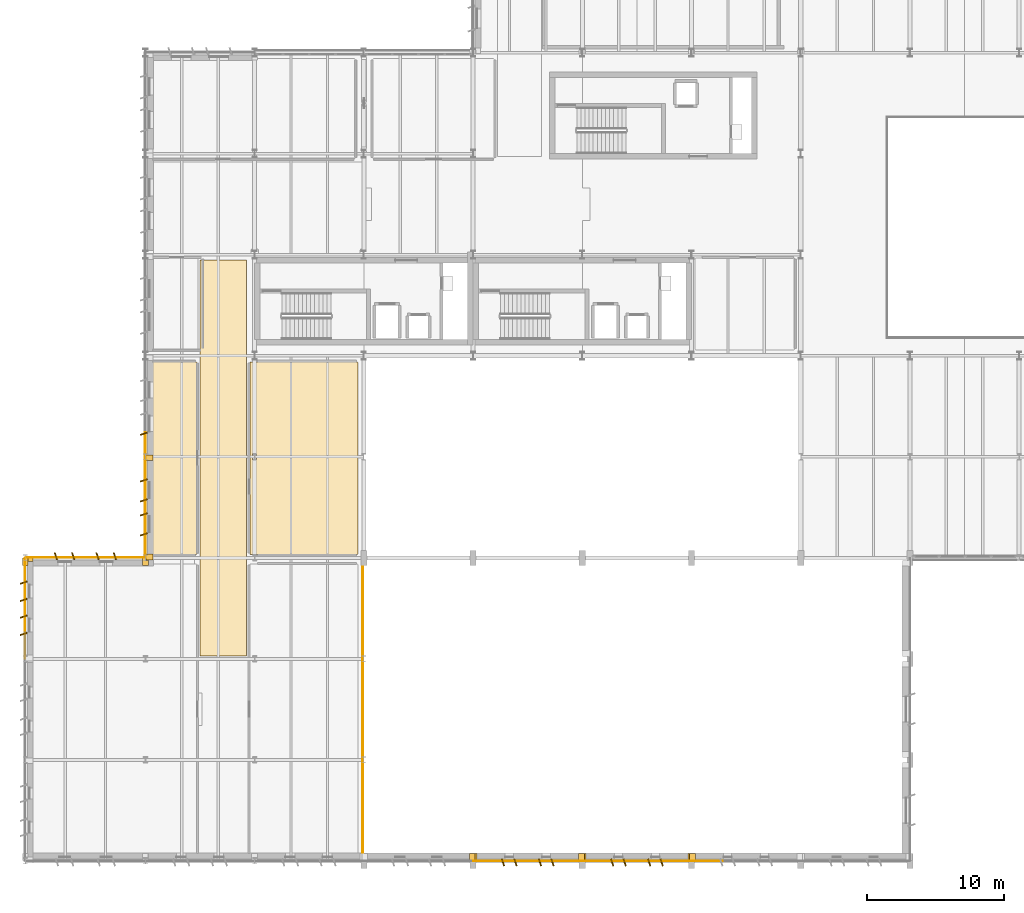
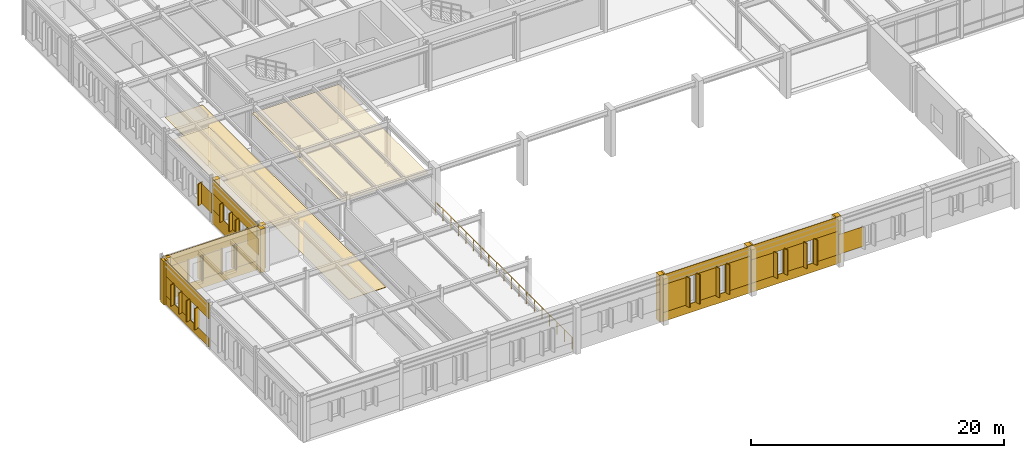
# One storey, part 55 of 75: 61 coverings, 1 railing.
"""IFC4 building model written with IfcOpenShell, lengths in metres."""

from ifc_helpers import new_model, si_unit, direction, frame, frame_2d, origin, origin_2d, place, context, subcontext, project, spatial, polyline, rectangle, circle, outline, extrude, material, layer, layer_set, type_object, element, save


model = new_model("IFC4")

# Units and contexts
model_context = context("Model", 3, precision=1e-05, world=origin(), true_north=direction((0.0, 1.0)))
body_context = subcontext(model_context, "Body", "Model", "MODEL_VIEW")
ifc_project = project(units=[si_unit("LENGTHUNIT", "METRE"), si_unit("AREAUNIT", "SQUARE_METRE"), si_unit("VOLUMEUNIT", "CUBIC_METRE"), si_unit("PLANEANGLEUNIT", "RADIAN"), si_unit("MASSUNIT", "GRAM", prefix="KILO")], contexts=[model_context])

# Site, building, storey
site_placement = place(None, origin())
site = spatial("IfcSite", under=ifc_project, at=site_placement, CompositionType="ELEMENT")
building_placement = place(site_placement, origin())
building = spatial("IfcBuilding", under=site, at=building_placement, Name="Valkorina Park Police Headquarters", CompositionType="ELEMENT")
storey_placement = place(building_placement, frame((0.0, 0.0, 5.39990234375)))
storey = spatial("IfcBuildingStorey", under=building, at=storey_placement, Name="L02", CompositionType="ELEMENT", Elevation=5.39990234375)

# Coverings
ifc_material_1 = material(Name="Acoustic mineral board")
ifc_layer_1 = layer(ifc_material_1, 0.02490234375)
ifc_layer_set_1 = layer_set([ifc_layer_1], Name="Acoustic mineral board")
covering_type_1 = type_object("IfcCoveringType", Name="COV-CEILING-ACOUST", PredefinedType="CEILING", material=ifc_layer_set_1)
covering_1_placement = place(storey_placement, frame((0.0, 0.0, 3.64501953125)))
element("IfcCovering", 1, at=covering_1_placement, inside=storey, type_object=covering_type_1, Name="Counsel Briefing Room Acoustic Suspended Ceiling", PredefinedType="CEILING", context=body_context, shape_type="SweptSolid", body=[
    extrude(outline(polyline([(12.55859375, 22.50439453125), (12.5595703125, 22.51220703125), (12.56005859375, 22.52001953125), (12.56005859375, 36.47998046875), (12.5595703125, 36.48779296875), (12.55859375, 36.49560546875), (12.556640625, 36.503173828125), (12.553955078125, 36.510498046875), (12.550537109375, 36.517578125), (12.54638671875, 36.5244140625), (12.541748046875, 36.53076171875), (12.53662109375, 36.53662109375), (12.53076171875, 36.541748046875), (12.5244140625, 36.54638671875), (12.517578125, 36.550537109375), (12.510498046875, 36.553955078125), (12.503173828125, 36.556640625), (12.49560546875, 36.55859375), (12.48779296875, 36.5595703125), (12.47998046875, 36.56005859375), (9.320068359375, 36.56005859375), (9.312255859375, 36.5595703125), (9.304443359375, 36.55859375), (9.296875, 36.556640625), (9.289306640625, 36.553955078125), (9.2822265625, 36.550537109375), (9.275634765625, 36.54638671875), (9.269287109375, 36.541748046875), (9.263427734375, 36.53662109375), (9.25830078125, 36.53076171875), (9.25341796875, 36.5244140625), (9.24951171875, 36.517578125), (9.24609375, 36.510498046875), (9.243408203125, 36.503173828125), (9.241455078125, 36.49560546875), (9.240478515625, 36.48779296875), (9.239990234375, 36.47998046875), (9.239990234375, 22.52001953125), (9.240478515625, 22.51220703125), (9.241455078125, 22.50439453125), (9.243408203125, 22.496826171875), (9.24609375, 22.489501953125), (9.24951171875, 22.482421875), (9.25341796875, 22.4755859375), (9.25830078125, 22.46923828125), (9.263427734375, 22.46337890625), (9.269287109375, 22.458251953125), (9.275634765625, 22.45361328125), (9.2822265625, 22.449462890625), (9.289306640625, 22.446044921875), (9.296875, 22.443359375), (9.304443359375, 22.44140625), (9.312255859375, 22.4404296875), (9.320068359375, 22.43994140625), (12.47998046875, 22.43994140625), (12.48779296875, 22.4404296875), (12.49560546875, 22.44140625), (12.503173828125, 22.443359375), (12.510498046875, 22.446044921875), (12.517578125, 22.449462890625), (12.5244140625, 22.45361328125), (12.53076171875, 22.458251953125), (12.53662109375, 22.46337890625), (12.541748046875, 22.46923828125), (12.54638671875, 22.4755859375), (12.550537109375, 22.482421875), (12.553955078125, 22.489501953125), (12.556640625, 22.496826171875), (12.55859375, 22.50439453125)])), origin(), (0.0, 0.0, 1.0), 0.025146484375),
])
covering_2_placement = place(storey_placement, frame((0.0, 0.0, 3.64501953125)))
element("IfcCovering", 2, at=covering_2_placement, inside=storey, type_object=covering_type_1, Name="Polygraph and Recorded Deposition Suite Acoustic Suspended Ceiling", PredefinedType="CEILING", context=body_context, shape_type="SweptSolid", body=[
    extrude(outline(polyline([(24.3583984375, 22.50439453125), (24.359619140625, 22.51220703125), (24.360107421875, 22.52001953125), (24.360107421875, 36.47998046875), (24.359619140625, 36.48779296875), (24.3583984375, 36.49560546875), (24.356689453125, 36.503173828125), (24.35400390625, 36.510498046875), (24.3505859375, 36.517578125), (24.346435546875, 36.5244140625), (24.341796875, 36.53076171875), (24.336669921875, 36.53662109375), (24.330810546875, 36.541748046875), (24.324462890625, 36.54638671875), (24.317626953125, 36.550537109375), (24.310546875, 36.553955078125), (24.30322265625, 36.556640625), (24.295654296875, 36.55859375), (24.287841796875, 36.5595703125), (24.280029296875, 36.56005859375), (16.52001953125, 36.56005859375), (16.51220703125, 36.5595703125), (16.50439453125, 36.55859375), (16.496826171875, 36.556640625), (16.489501953125, 36.553955078125), (16.482421875, 36.550537109375), (16.4755859375, 36.54638671875), (16.46923828125, 36.541748046875), (16.46337890625, 36.53662109375), (16.458251953125, 36.53076171875), (16.45361328125, 36.5244140625), (16.449462890625, 36.517578125), (16.446044921875, 36.510498046875), (16.443359375, 36.503173828125), (16.44140625, 36.49560546875), (16.4404296875, 36.48779296875), (16.43994140625, 36.47998046875), (16.43994140625, 22.52001953125), (16.4404296875, 22.51220703125), (16.44140625, 22.50439453125), (16.443359375, 22.496826171875), (16.446044921875, 22.489501953125), (16.449462890625, 22.482421875), (16.45361328125, 22.4755859375), (16.458251953125, 22.46923828125), (16.46337890625, 22.46337890625), (16.46923828125, 22.458251953125), (16.4755859375, 22.45361328125), (16.482421875, 22.449462890625), (16.489501953125, 22.446044921875), (16.496826171875, 22.443359375), (16.50439453125, 22.44140625), (16.51220703125, 22.4404296875), (16.52001953125, 22.43994140625), (24.280029296875, 22.43994140625), (24.287841796875, 22.4404296875), (24.295654296875, 22.44140625), (24.30322265625, 22.443359375), (24.310546875, 22.446044921875), (24.317626953125, 22.449462890625), (24.324462890625, 22.45361328125), (24.330810546875, 22.458251953125), (24.336669921875, 22.46337890625), (24.341796875, 22.46923828125), (24.346435546875, 22.4755859375), (24.3505859375, 22.482421875), (24.35400390625, 22.489501953125), (24.356689453125, 22.496826171875), (24.3583984375, 22.50439453125)]), holes=[polyline([(16.949951171875, 29.375), (16.64990234375, 29.375), (16.64990234375, 29.824951171875), (16.949951171875, 29.824951171875), (16.949951171875, 29.375)])]), origin(), (0.0, 0.0, 1.0), 0.025146484375),
])
ifc_material_2 = material(Name="Precast concrete C40/50", Category="concrete")
ifc_layer_2 = layer(ifc_material_2, 0.044921875)
ifc_layer_set_2 = layer_set([ifc_layer_2], Name="Precast concrete C40/50")
covering_type_2 = type_object("IfcCoveringType", Name="COV-CLAD-DOLOMITE", PredefinedType="CLADDING", material=ifc_layer_set_2)
covering_3_placement = place(storey_placement, frame((48.864990234375, 0.2900390625, 0.0), z_axis=(0.0, 0.0, 1.0), x_axis=(1.0, 0.0, 0.0)))
element("IfcCovering", 3, at=covering_3_placement, inside=storey, type_object=covering_type_2, Name="L02 Exterior Joint Closure Pilaster B 0831", PredefinedType="CLADDING", context=body_context, shape_type="SweptSolid", body=[
    extrude(rectangle(XDim=0.419921875, YDim=0.52197265625, at=origin_2d()), origin(), (0.0, 0.0, 1.0), 4.5),
])
covering_4_placement = place(storey_placement, frame((51.094482421875, -0.014892578125, 0.8701171875), z_axis=(0.0, 0.0, 1.0), x_axis=(-1.0, 0.0, 0.0)))
element("IfcCovering", 4, at=covering_4_placement, inside=storey, type_object=covering_type_2, Name="L02 Calm Concrete Base Slot Pier 0840", PredefinedType="CLADDING", context=body_context, shape_type="SweptSolid", body=[
    extrude(rectangle(XDim=2.2744140625, YDim=0.044921875, at=frame_2d((1.13720703125, 0.0))), origin(), (0.0, 0.0, 1.0), 1.909912109375),
])
for number, where, z_axis, x_axis, name in (
    (5, (48.735107421875, 0.2900390625, 0.0), (0.0, 0.0, 1.0), (1.0, 0.0, 0.0), "L02 Exterior Joint Closure Pilaster A 0841"),
    (6, (40.864990234375, 0.2900390625, 0.0), (0.0, 0.0, 1.0), (1.0, 0.0, 0.0), "L02 Exterior Joint Closure Pilaster B 0842"),
):
    element("IfcCovering", number, at=place(storey_placement, frame(where, z_axis=z_axis, x_axis=x_axis)), inside=storey, type_object=covering_type_2, Name=name, PredefinedType="CLADDING", context=body_context, shape_type="SweptSolid", body=[
        extrude(rectangle(XDim=0.419921875, YDim=0.52197265625, at=origin_2d()), origin(), (0.0, 0.0, 1.0), 4.5),
    ])
for number, where, z_axis, x_axis, name in (
    (7, (46.615478515625, -0.1201171875, 0.780029296875), (0.0, 0.0, 1.0), (0.317304656405, -0.948323655206, 0.0), "Slanted 18.5-deg Precast Window Slot Fin 0843"),
    (8, (45.6953125, -0.1201171875, 0.780029296875), (0.0, 0.0, 1.0), (0.317304656405, -0.948323655206, 0.0), "Slanted 18.5-deg Precast Window Slot Fin 0844"),
    (9, (43.904541015625, -0.1201171875, 0.780029296875), (0.0, 0.0, 1.0), (0.317304656405, -0.948323655206, 0.0), "Slanted 18.5-deg Precast Window Slot Fin 0845"),
    (10, (42.984619140625, -0.1201171875, 0.780029296875), (0.0, 0.0, 1.0), (0.317304656405, -0.948323655206, 0.0), "Slanted 18.5-deg Precast Window Slot Fin 0846"),
):
    element("IfcCovering", number, at=place(storey_placement, frame(where, z_axis=z_axis, x_axis=x_axis)), inside=storey, type_object=covering_type_2, Name=name, PredefinedType="CLADDING", context=body_context, shape_type="SweptSolid", body=[
        extrude(rectangle(XDim=0.5400390625, YDim=0.090087890625, at=origin_2d()), origin(), (0.0, 0.0, 1.0), 2.43994140625),
    ])
covering_5_placement = place(storey_placement, frame((48.780029296875, -0.014892578125, 0.0), z_axis=(0.0, 0.0, 1.0), x_axis=(-1.0, 0.0, 0.0)))
element("IfcCovering", 11, at=covering_5_placement, inside=storey, type_object=covering_type_2, Name="L02 Calm Concrete Base Sill Spandrel 0847", PredefinedType="CLADDING", context=body_context, shape_type="SweptSolid", body=[
    extrude(rectangle(XDim=7.9599609375, YDim=0.044921875, at=frame_2d((3.97998046875, 0.0))), origin(), (0.0, 0.0, 1.0), 0.8701171875),
])
covering_6_placement = place(storey_placement, frame((48.780029296875, -0.014892578125, 3.130126953125), z_axis=(0.0, 0.0, 1.0), x_axis=(-1.0, 0.0, 0.0)))
element("IfcCovering", 12, at=covering_6_placement, inside=storey, type_object=covering_type_2, Name="L02 Calm Concrete Base Lintel Spandrel 0848", PredefinedType="CLADDING", context=body_context, shape_type="SweptSolid", body=[
    extrude(rectangle(XDim=7.9599609375, YDim=0.044921875, at=frame_2d((3.97998046875, 0.0))), origin(), (0.0, 0.0, 1.0), 1.369873046875),
])
covering_7_placement = place(storey_placement, frame((48.780029296875, -0.014892578125, 0.8701171875), z_axis=(0.0, 0.0, 1.0), x_axis=(-1.0, 0.0, 0.0)))
element("IfcCovering", 13, at=covering_7_placement, inside=storey, type_object=covering_type_2, Name="L02 Calm Concrete Base Slot Pier 0849", PredefinedType="CLADDING", context=body_context, shape_type="SweptSolid", body=[
    extrude(rectangle(XDim=2.274658203125, YDim=0.044921875, at=frame_2d((1.13720703125, 0.0))), origin(), (0.0, 0.0, 1.0), 2.260009765625),
])
covering_8_placement = place(storey_placement, frame((45.805419921875, -0.014892578125, 0.8701171875), z_axis=(0.0, 0.0, 1.0), x_axis=(-1.0, 0.0, 0.0)))
element("IfcCovering", 14, at=covering_8_placement, inside=storey, type_object=covering_type_2, Name="L02 Calm Concrete Base Slot Pier 0850", PredefinedType="CLADDING", context=body_context, shape_type="SweptSolid", body=[
    extrude(rectangle(XDim=2.0107421875, YDim=0.044921875, at=frame_2d((1.00537109375, 0.0))), origin(), (0.0, 0.0, 1.0), 2.260009765625),
])
covering_9_placement = place(storey_placement, frame((43.094482421875, -0.014892578125, 0.8701171875), z_axis=(0.0, 0.0, 1.0), x_axis=(-1.0, 0.0, 0.0)))
element("IfcCovering", 15, at=covering_9_placement, inside=storey, type_object=covering_type_2, Name="L02 Calm Concrete Base Slot Pier 0851", PredefinedType="CLADDING", context=body_context, shape_type="SweptSolid", body=[
    extrude(rectangle(XDim=2.2744140625, YDim=0.044921875, at=frame_2d((1.13720703125, 0.0))), origin(), (0.0, 0.0, 1.0), 2.260009765625),
])
for number, where, z_axis, x_axis, name in (
    (16, (40.735107421875, 0.2900390625, 0.0), (0.0, 0.0, 1.0), (1.0, 0.0, 0.0), "L02 Exterior Joint Closure Pilaster A 0852"),
    (17, (32.864990234375, 0.2900390625, 0.0), (0.0, 0.0, 1.0), (1.0, 0.0, 0.0), "L02 Exterior Joint Closure Pilaster B 0853"),
):
    element("IfcCovering", number, at=place(storey_placement, frame(where, z_axis=z_axis, x_axis=x_axis)), inside=storey, type_object=covering_type_2, Name=name, PredefinedType="CLADDING", context=body_context, shape_type="SweptSolid", body=[
        extrude(rectangle(XDim=0.419921875, YDim=0.52197265625, at=origin_2d()), origin(), (0.0, 0.0, 1.0), 4.5),
    ])
for number, where, z_axis, x_axis, name in (
    (18, (38.615478515625, -0.1201171875, 0.7802734375), (0.0, 0.0, 1.0), (0.317304656405, -0.948323655206, 0.0), "Slanted 18.5-deg Precast Window Slot Fin 0854"),
    (19, (37.6953125, -0.1201171875, 0.7802734375), (0.0, 0.0, 1.0), (0.317304656405, -0.948323655206, 0.0), "Slanted 18.5-deg Precast Window Slot Fin 0855"),
    (20, (35.904541015625, -0.1201171875, 0.7802734375), (0.0, 0.0, 1.0), (0.317304656405, -0.948323655206, 0.0), "Slanted 18.5-deg Precast Window Slot Fin 0856"),
    (21, (34.984619140625, -0.1201171875, 0.7802734375), (0.0, 0.0, 1.0), (0.317304656405, -0.948323655206, 0.0), "Slanted 18.5-deg Precast Window Slot Fin 0857"),
):
    element("IfcCovering", number, at=place(storey_placement, frame(where, z_axis=z_axis, x_axis=x_axis)), inside=storey, type_object=covering_type_2, Name=name, PredefinedType="CLADDING", context=body_context, shape_type="SweptSolid", body=[
        extrude(rectangle(XDim=0.5400390625, YDim=0.090087890625, at=origin_2d()), origin(), (0.0, 0.0, 1.0), 2.840087890625),
    ])
covering_10_placement = place(storey_placement, frame((40.780029296875, -0.014892578125, 0.0), z_axis=(0.0, 0.0, 1.0), x_axis=(-1.0, 0.0, 0.0)))
element("IfcCovering", 22, at=covering_10_placement, inside=storey, type_object=covering_type_2, Name="L02 Calm Concrete Base Sill Spandrel 0858", PredefinedType="CLADDING", context=body_context, shape_type="SweptSolid", body=[
    extrude(rectangle(XDim=7.9599609375, YDim=0.044921875, at=frame_2d((3.97998046875, 0.0))), origin(), (0.0, 0.0, 1.0), 0.8701171875),
])
covering_11_placement = place(storey_placement, frame((40.780029296875, -0.014892578125, 3.530029296875), z_axis=(0.0, 0.0, 1.0), x_axis=(-1.0, 0.0, 0.0)))
element("IfcCovering", 23, at=covering_11_placement, inside=storey, type_object=covering_type_2, Name="L02 Calm Concrete Base Lintel Spandrel 0859", PredefinedType="CLADDING", context=body_context, shape_type="SweptSolid", body=[
    extrude(rectangle(XDim=7.9599609375, YDim=0.044921875, at=frame_2d((3.97998046875, 0.0))), origin(), (0.0, 0.0, 1.0), 0.969970703125),
])
covering_12_placement = place(storey_placement, frame((40.780029296875, -0.014892578125, 0.8701171875), z_axis=(0.0, 0.0, 1.0), x_axis=(-1.0, 0.0, 0.0)))
element("IfcCovering", 24, at=covering_12_placement, inside=storey, type_object=covering_type_2, Name="L02 Calm Concrete Base Slot Pier 0860", PredefinedType="CLADDING", context=body_context, shape_type="SweptSolid", body=[
    extrude(rectangle(XDim=2.274658203125, YDim=0.044921875, at=frame_2d((1.13720703125, 0.0))), origin(), (0.0, 0.0, 1.0), 2.659912109375),
])
covering_13_placement = place(storey_placement, frame((37.805419921875, -0.014892578125, 0.8701171875), z_axis=(0.0, 0.0, 1.0), x_axis=(-1.0, 0.0, 0.0)))
element("IfcCovering", 25, at=covering_13_placement, inside=storey, type_object=covering_type_2, Name="L02 Calm Concrete Base Slot Pier 0861", PredefinedType="CLADDING", context=body_context, shape_type="SweptSolid", body=[
    extrude(rectangle(XDim=2.0107421875, YDim=0.044921875, at=frame_2d((1.00537109375, 0.0))), origin(), (0.0, 0.0, 1.0), 2.659912109375),
])
covering_14_placement = place(storey_placement, frame((35.094482421875, -0.014892578125, 0.8701171875), z_axis=(0.0, 0.0, 1.0), x_axis=(-1.0, 0.0, 0.0)))
element("IfcCovering", 26, at=covering_14_placement, inside=storey, type_object=covering_type_2, Name="L02 Calm Concrete Base Slot Pier 0862", PredefinedType="CLADDING", context=body_context, shape_type="SweptSolid", body=[
    extrude(rectangle(XDim=2.2744140625, YDim=0.044921875, at=frame_2d((1.13720703125, 0.0))), origin(), (0.0, 0.0, 1.0), 2.659912109375),
])
covering_15_placement = place(storey_placement, frame((32.735107421875, 0.2900390625, 0.0), z_axis=(0.0, 0.0, 1.0), x_axis=(1.0, 0.0, 0.0)))
element("IfcCovering", 27, at=covering_15_placement, inside=storey, type_object=covering_type_2, Name="L02 Exterior Joint Closure Pilaster A 0863", PredefinedType="CLADDING", context=body_context, shape_type="SweptSolid", body=[
    extrude(rectangle(XDim=0.419921875, YDim=0.52197265625, at=origin_2d()), origin(), (0.0, 0.0, 1.0), 4.5),
])
covering_16_placement = place(storey_placement, frame((0.2900390625, 22.135009765625, 0.0), z_axis=(0.0, 0.0, 1.0), x_axis=(0.0, 1.0, 0.0)))
element("IfcCovering", 28, at=covering_16_placement, inside=storey, type_object=covering_type_2, Name="L02 Exterior Joint Closure Pilaster B 0928", PredefinedType="CLADDING", context=body_context, shape_type="SweptSolid", body=[
    extrude(rectangle(XDim=0.419921875, YDim=0.52197265625, at=origin_2d()), origin(), (0.0, 0.0, 1.0), 4.219970703125),
])
for number, where, z_axis, x_axis, name in (
    (29, (-0.1201171875, 16.61767578125, 0.780029296875), (0.0, 0.0, 1.0), (-0.948323655206, -0.317304656405, 0.0), "Slanted 18.5-deg Precast Window Slot Fin 0929"),
    (30, (-0.1201171875, 17.8876953125, 0.780029296875), (0.0, 0.0, 1.0), (-0.948323655206, -0.317304656405, 0.0), "Slanted 18.5-deg Precast Window Slot Fin 0930"),
    (31, (-0.1201171875, 19.1123046875, 0.780029296875), (0.0, 0.0, 1.0), (-0.948323655206, -0.317304656405, 0.0), "Slanted 18.5-deg Precast Window Slot Fin 0931"),
    (32, (-0.1201171875, 20.38232421875, 0.780029296875), (0.0, 0.0, 1.0), (-0.948323655206, -0.317304656405, 0.0), "Slanted 18.5-deg Precast Window Slot Fin 0932"),
):
    element("IfcCovering", number, at=place(storey_placement, frame(where, z_axis=z_axis, x_axis=x_axis)), inside=storey, type_object=covering_type_2, Name=name, PredefinedType="CLADDING", context=body_context, shape_type="SweptSolid", body=[
        extrude(rectangle(XDim=0.5400390625, YDim=0.090087890625, at=origin_2d()), origin(), (0.0, 0.0, 1.0), 2.0400390625),
    ])
covering_17_placement = place(storey_placement, frame((-0.014892578125, 14.820068359375, 0.0), z_axis=(0.0, 0.0, 1.0), x_axis=(0.0, 1.0, 0.0)))
element("IfcCovering", 33, at=covering_17_placement, inside=storey, type_object=covering_type_2, Name="L02 Calm Concrete Base Sill Spandrel 0933", PredefinedType="CLADDING", context=body_context, shape_type="SweptSolid", body=[
    extrude(rectangle(XDim=7.35986328125, YDim=0.044921875, at=frame_2d((3.679931640625, 0.0))), origin(), (0.0, 0.0, 1.0), 0.8701171875),
])
covering_18_placement = place(storey_placement, frame((-0.014892578125, 14.820068359375, 2.72998046875), z_axis=(0.0, 0.0, 1.0), x_axis=(0.0, 1.0, 0.0)))
element("IfcCovering", 34, at=covering_18_placement, inside=storey, type_object=covering_type_2, Name="L02 Calm Concrete Base Lintel Spandrel 0934", PredefinedType="CLADDING", context=body_context, shape_type="SweptSolid", body=[
    extrude(rectangle(XDim=7.35986328125, YDim=0.044921875, at=frame_2d((3.679931640625, 0.0))), origin(), (0.0, 0.0, 1.0), 1.490234375),
])
covering_19_placement = place(storey_placement, frame((-0.014892578125, 17.777587890625, 0.8701171875), z_axis=(0.0, 0.0, 1.0), x_axis=(0.0, 1.0, 0.0)))
element("IfcCovering", 35, at=covering_19_placement, inside=storey, type_object=covering_type_2, Name="L02 Calm Concrete Base Slot Pier 0936", PredefinedType="CLADDING", context=body_context, shape_type="SweptSolid", body=[
    extrude(rectangle(XDim=1.44482421875, YDim=0.044921875, at=frame_2d((0.722412109375, 0.0))), origin(), (0.0, 0.0, 1.0), 1.85986328125),
])
covering_20_placement = place(storey_placement, frame((-0.014892578125, 20.2724609375, 0.8701171875), z_axis=(0.0, 0.0, 1.0), x_axis=(0.0, 1.0, 0.0)))
element("IfcCovering", 36, at=covering_20_placement, inside=storey, type_object=covering_type_2, Name="L02 Calm Concrete Base Slot Pier 0937", PredefinedType="CLADDING", context=body_context, shape_type="SweptSolid", body=[
    extrude(rectangle(XDim=1.907470703125, YDim=0.044921875, at=frame_2d((0.95361328125, 0.0))), origin(), (0.0, 0.0, 1.0), 1.85986328125),
])
for number, where, z_axis, x_axis, name in (
    (37, (-0.010009765625, 21.909912109375, 0.0), (0.0, 0.0, 1.0), (1.0, 0.0, 0.0), "L02 Exterior Joint Closure Pilaster A 0938"),
    (38, (8.81005859375, 21.909912109375, 0.0), (0.0, 0.0, 1.0), (1.0, 0.0, 0.0), "L02 Exterior Joint Closure Pilaster B 0939"),
):
    element("IfcCovering", number, at=place(storey_placement, frame(where, z_axis=z_axis, x_axis=x_axis)), inside=storey, type_object=covering_type_2, Name=name, PredefinedType="CLADDING", context=body_context, shape_type="SweptSolid", body=[
        extrude(rectangle(XDim=0.419921875, YDim=0.52197265625, at=origin_2d()), origin(), (0.0, 0.0, 1.0), 4.219970703125),
    ])
for number, where, z_axis, x_axis, name in (
    (39, (2.238525390625, 22.320068359375, 0.780029296875), (0.0, 0.0, 1.0), (-0.317304656405, 0.948323655206, 0.0), "Slanted 18.5-deg Precast Window Slot Fin 0940"),
    (40, (3.508544921875, 22.320068359375, 0.780029296875), (0.0, 0.0, 1.0), (-0.317304656405, 0.948323655206, 0.0), "Slanted 18.5-deg Precast Window Slot Fin 0941"),
    (41, (5.29150390625, 22.320068359375, 0.780029296875), (0.0, 0.0, 1.0), (-0.317304656405, 0.948323655206, 0.0), "Slanted 18.5-deg Precast Window Slot Fin 0942"),
    (42, (6.561279296875, 22.320068359375, 0.780029296875), (0.0, 0.0, 1.0), (-0.317304656405, 0.948323655206, 0.0), "Slanted 18.5-deg Precast Window Slot Fin 0943"),
):
    element("IfcCovering", number, at=place(storey_placement, frame(where, z_axis=z_axis, x_axis=x_axis)), inside=storey, type_object=covering_type_2, Name=name, PredefinedType="CLADDING", context=body_context, shape_type="SweptSolid", body=[
        extrude(rectangle(XDim=0.5400390625, YDim=0.090087890625, at=origin_2d()), origin(), (0.0, 0.0, 1.0), 2.43994140625),
    ])
covering_21_placement = place(storey_placement, frame((0.02001953125, 22.215087890625, 0.0), z_axis=(0.0, 0.0, 1.0), x_axis=(1.0, 0.0, 0.0)))
element("IfcCovering", 43, at=covering_21_placement, inside=storey, type_object=covering_type_2, Name="L02 Calm Concrete Base Sill Spandrel 0944", PredefinedType="CLADDING", context=body_context, shape_type="SweptSolid", body=[
    extrude(rectangle(XDim=8.760009765625, YDim=0.044921875, at=frame_2d((4.3798828125, 0.0))), origin(), (0.0, 0.0, 1.0), 0.8701171875),
])
covering_22_placement = place(storey_placement, frame((0.02001953125, 22.215087890625, 3.130126953125), z_axis=(0.0, 0.0, 1.0), x_axis=(1.0, 0.0, 0.0)))
element("IfcCovering", 44, at=covering_22_placement, inside=storey, type_object=covering_type_2, Name="L02 Calm Concrete Base Lintel Spandrel 0945", PredefinedType="CLADDING", context=body_context, shape_type="SweptSolid", body=[
    extrude(rectangle(XDim=8.760009765625, YDim=0.044921875, at=frame_2d((4.3798828125, 0.0))), origin(), (0.0, 0.0, 1.0), 1.090087890625),
])
covering_23_placement = place(storey_placement, frame((0.02001953125, 22.215087890625, 0.8701171875), z_axis=(0.0, 0.0, 1.0), x_axis=(1.0, 0.0, 0.0)))
element("IfcCovering", 45, at=covering_23_placement, inside=storey, type_object=covering_type_2, Name="L02 Calm Concrete Base Slot Pier 0946", PredefinedType="CLADDING", context=body_context, shape_type="SweptSolid", body=[
    extrude(rectangle(XDim=2.32861328125, YDim=0.044921875, at=frame_2d((1.164306640625, 0.0))), origin(), (0.0, 0.0, 1.0), 2.260009765625),
])
covering_24_placement = place(storey_placement, frame((3.398681640625, 22.215087890625, 0.8701171875), z_axis=(0.0, 0.0, 1.0), x_axis=(1.0, 0.0, 0.0)))
element("IfcCovering", 46, at=covering_24_placement, inside=storey, type_object=covering_type_2, Name="L02 Calm Concrete Base Slot Pier 0947", PredefinedType="CLADDING", context=body_context, shape_type="SweptSolid", body=[
    extrude(rectangle(XDim=2.002685546875, YDim=0.044921875, at=frame_2d((1.00146484375, 0.0))), origin(), (0.0, 0.0, 1.0), 2.260009765625),
])
covering_25_placement = place(storey_placement, frame((6.451416015625, 22.215087890625, 0.8701171875), z_axis=(0.0, 0.0, 1.0), x_axis=(1.0, 0.0, 0.0)))
element("IfcCovering", 47, at=covering_25_placement, inside=storey, type_object=covering_type_2, Name="L02 Calm Concrete Base Slot Pier 0948", PredefinedType="CLADDING", context=body_context, shape_type="SweptSolid", body=[
    extrude(rectangle(XDim=2.32861328125, YDim=0.044921875, at=frame_2d((1.164306640625, 0.0))), origin(), (0.0, 0.0, 1.0), 2.260009765625),
])
for number, where, z_axis, x_axis, name in (
    (48, (9.090087890625, 22.264892578125, 0.0), (0.0, 0.0, 1.0), (0.0, 1.0, 0.0), "L02 Exterior Joint Closure Pilaster A 0949"),
    (49, (9.090087890625, 29.534912109375, 0.0), (0.0, 0.0, 1.0), (0.0, 1.0, 0.0), "L02 Exterior Joint Closure Pilaster B 0950"),
):
    element("IfcCovering", number, at=place(storey_placement, frame(where, z_axis=z_axis, x_axis=x_axis)), inside=storey, type_object=covering_type_2, Name=name, PredefinedType="CLADDING", context=body_context, shape_type="SweptSolid", body=[
        extrude(rectangle(XDim=0.419921875, YDim=0.52197265625, at=origin_2d()), origin(), (0.0, 0.0, 1.0), 4.219970703125),
    ])
for number, where, z_axis, x_axis, name in (
    (50, (8.679931640625, 23.91748046875, 1.22998046875), (0.0, 0.0, 1.0), (-0.948323655206, -0.317304656405, 0.0), "Slanted 18.5-deg Precast Window Slot Fin 0951"),
    (51, (8.679931640625, 25.3876953125, 1.22998046875), (0.0, 0.0, 1.0), (-0.948323655206, -0.317304656405, 0.0), "Slanted 18.5-deg Precast Window Slot Fin 0952"),
    (52, (8.679931640625, 26.412353515625, 1.22998046875), (0.0, 0.0, 1.0), (-0.948323655206, -0.317304656405, 0.0), "Slanted 18.5-deg Precast Window Slot Fin 0953"),
    (53, (8.679931640625, 27.88232421875, 1.22998046875), (0.0, 0.0, 1.0), (-0.948323655206, -0.317304656405, 0.0), "Slanted 18.5-deg Precast Window Slot Fin 0954"),
):
    element("IfcCovering", number, at=place(storey_placement, frame(where, z_axis=z_axis, x_axis=x_axis)), inside=storey, type_object=covering_type_2, Name=name, PredefinedType="CLADDING", context=body_context, shape_type="SweptSolid", body=[
        extrude(rectangle(XDim=0.5400390625, YDim=0.090087890625, at=origin_2d()), origin(), (0.0, 0.0, 1.0), 1.739990234375),
    ])
covering_26_placement = place(storey_placement, frame((8.784912109375, 22.219970703125, 0.0), z_axis=(0.0, 0.0, 1.0), x_axis=(0.0, 1.0, 0.0)))
element("IfcCovering", 54, at=covering_26_placement, inside=storey, type_object=covering_type_2, Name="L02 Calm Concrete Base Sill Spandrel 0955", PredefinedType="CLADDING", context=body_context, shape_type="SweptSolid", body=[
    extrude(rectangle(XDim=7.360107421875, YDim=0.044921875, at=frame_2d((3.68017578125, 0.0))), origin(), (0.0, 0.0, 1.0), 1.320068359375),
])
covering_27_placement = place(storey_placement, frame((8.784912109375, 22.219970703125, 2.880126953125), z_axis=(0.0, 0.0, 1.0), x_axis=(0.0, 1.0, 0.0)))
element("IfcCovering", 55, at=covering_27_placement, inside=storey, type_object=covering_type_2, Name="L02 Calm Concrete Base Lintel Spandrel 0956", PredefinedType="CLADDING", context=body_context, shape_type="SweptSolid", body=[
    extrude(rectangle(XDim=7.360107421875, YDim=0.044921875, at=frame_2d((3.68017578125, 0.0))), origin(), (0.0, 0.0, 1.0), 1.340087890625),
])
covering_28_placement = place(storey_placement, frame((8.784912109375, 22.219970703125, 1.320068359375), z_axis=(0.0, 0.0, 1.0), x_axis=(0.0, 1.0, 0.0)))
element("IfcCovering", 56, at=covering_28_placement, inside=storey, type_object=covering_type_2, Name="L02 Calm Concrete Base Slot Pier 0957", PredefinedType="CLADDING", context=body_context, shape_type="SweptSolid", body=[
    extrude(rectangle(XDim=1.8076171875, YDim=0.044921875, at=frame_2d((0.90380859375, 0.0))), origin(), (0.0, 0.0, 1.0), 1.56005859375),
])
covering_29_placement = place(storey_placement, frame((8.784912109375, 25.277587890625, 1.320068359375), z_axis=(0.0, 0.0, 1.0), x_axis=(0.0, 1.0, 0.0)))
element("IfcCovering", 57, at=covering_29_placement, inside=storey, type_object=covering_type_2, Name="L02 Calm Concrete Base Slot Pier 0958", PredefinedType="CLADDING", context=body_context, shape_type="SweptSolid", body=[
    extrude(rectangle(XDim=1.244873046875, YDim=0.044921875, at=frame_2d((0.62255859375, 0.0))), origin(), (0.0, 0.0, 1.0), 1.56005859375),
])
covering_30_placement = place(storey_placement, frame((8.784912109375, 27.7724609375, 1.320068359375), z_axis=(0.0, 0.0, 1.0), x_axis=(0.0, 1.0, 0.0)))
element("IfcCovering", 58, at=covering_30_placement, inside=storey, type_object=covering_type_2, Name="L02 Calm Concrete Base Slot Pier 0959", PredefinedType="CLADDING", context=body_context, shape_type="SweptSolid", body=[
    extrude(rectangle(XDim=1.8076171875, YDim=0.044921875, at=frame_2d((0.90380859375, 0.0))), origin(), (0.0, 0.0, 1.0), 1.56005859375),
])
covering_31_placement = place(storey_placement, frame((8.679931640625, 31.293701171875, 0.7802734375), z_axis=(0.0, 0.0, 1.0), x_axis=(-0.948323655206, -0.317304656405, 0.0)))
element("IfcCovering", 59, at=covering_31_placement, inside=storey, type_object=covering_type_2, Name="Slanted 18.5-deg Precast Window Slot Fin 0961", PredefinedType="CLADDING", context=body_context, shape_type="SweptSolid", body=[
    extrude(rectangle(XDim=0.5400390625, YDim=0.090087890625, at=origin_2d()), origin(), (0.0, 0.0, 1.0), 2.090087890625),
])
covering_32_placement = place(storey_placement, frame((8.784912109375, 29.6201171875, 0.8701171875), z_axis=(0.0, 0.0, 1.0), x_axis=(0.0, 1.0, 0.0)))
element("IfcCovering", 60, at=covering_32_placement, inside=storey, type_object=covering_type_2, Name="L02 Calm Concrete Base Slot Pier 0967", PredefinedType="CLADDING", context=body_context, shape_type="SweptSolid", body=[
    extrude(rectangle(XDim=1.783447265625, YDim=0.044921875, at=frame_2d((0.8916015625, 0.0))), origin(), (0.0, 0.0, 1.0), 1.909912109375),
])
ifc_material_3 = material(Name="Resin terrazzo flooring")
ifc_layer_3 = layer(ifc_material_3, 0.030029296875)
ifc_layer_set_3 = layer_set([ifc_layer_3], Name="Resin terrazzo flooring")
covering_type_3 = type_object("IfcCoveringType", Name="COV-FLOOR-TERRAZZO", PredefinedType="FLOORING", material=ifc_layer_set_3)
covering_33_placement = place(storey_placement, origin())
element("IfcCovering", 61, at=covering_33_placement, inside=storey, type_object=covering_type_3, Name="Mezzanine Link Corridor Terrazzo Flooring", PredefinedType="FLOORING", context=body_context, shape_type="SweptSolid", body=[
    extrude(outline(polyline([(16.199951171875, 44.0), (12.800048828125, 44.0), (12.800048828125, 15.0), (16.199951171875, 15.0), (16.199951171875, 44.0)])), origin(), (0.0, 0.0, 1.0), 0.030029296875),
])

# Railing
ifc_material_4 = material(Name="Stainless steel EN 1.4404", Category="steel")
railing_type = type_object("IfcRailingType", Name="RL-GUARD-INT-1100", PredefinedType="BALUSTRADE", material=ifc_material_4)
railing_placement = place(storey_placement, frame((24.719970703125, 0.300048828125, 0.0)))
element("IfcRailing", 62, at=railing_placement, inside=storey, type_object=railing_type, Name="V1 Mezzanine Overlook Balustrade", PredefinedType="BALUSTRADE", context=body_context, shape_type="SweptSolid", body=[
    extrude(circle(Radius=0.02392578125, at=origin_2d()), frame((0.0, 0.0, 1.09619140625), z_axis=(0.0, 1.0, 0.0), x_axis=(-1.0, 0.0, 0.0)), (0.0, 0.0, 1.0), 21.599853515625),
    extrude(circle(Radius=0.02099609375, at=origin_2d()), origin(), (0.0, 0.0, 1.0), 1.072021484375),
    extrude(circle(Radius=0.02099609375, at=origin_2d()), frame((0.0, 1.199951171875, 0.0)), (0.0, 0.0, 1.0), 1.072021484375),
    extrude(circle(Radius=0.02099609375, at=origin_2d()), frame((0.0, 2.39990234375, 0.0)), (0.0, 0.0, 1.0), 1.072021484375),
    extrude(circle(Radius=0.02099609375, at=origin_2d()), frame((0.0, 3.60009765625, 0.0)), (0.0, 0.0, 1.0), 1.072021484375),
    extrude(circle(Radius=0.02099609375, at=origin_2d()), frame((0.0, 4.800048828125, 0.0)), (0.0, 0.0, 1.0), 1.072021484375),
    extrude(circle(Radius=0.02099609375, at=origin_2d()), frame((0.0, 6.0, 0.0)), (0.0, 0.0, 1.0), 1.072021484375),
    extrude(circle(Radius=0.02099609375, at=origin_2d()), frame((0.0, 7.199951171875, 0.0)), (0.0, 0.0, 1.0), 1.072021484375),
    extrude(circle(Radius=0.02099609375, at=origin_2d()), frame((0.0, 8.39990234375, 0.0)), (0.0, 0.0, 1.0), 1.072021484375),
    extrude(circle(Radius=0.02099609375, at=origin_2d()), frame((0.0, 9.599853515625, 0.0)), (0.0, 0.0, 1.0), 1.072021484375),
    extrude(circle(Radius=0.02099609375, at=origin_2d()), frame((0.0, 10.7998046875, 0.0)), (0.0, 0.0, 1.0), 1.072021484375),
    extrude(circle(Radius=0.02099609375, at=origin_2d()), frame((0.0, 12.0, 0.0)), (0.0, 0.0, 1.0), 1.072021484375),
    extrude(circle(Radius=0.02099609375, at=origin_2d()), frame((0.0, 13.199951171875, 0.0)), (0.0, 0.0, 1.0), 1.072021484375),
    extrude(circle(Radius=0.02099609375, at=origin_2d()), frame((0.0, 14.39990234375, 0.0)), (0.0, 0.0, 1.0), 1.072021484375),
    extrude(circle(Radius=0.02099609375, at=origin_2d()), frame((0.0, 15.599853515625, 0.0)), (0.0, 0.0, 1.0), 1.072021484375),
    extrude(circle(Radius=0.02099609375, at=origin_2d()), frame((0.0, 16.7998046875, 0.0)), (0.0, 0.0, 1.0), 1.072021484375),
    extrude(circle(Radius=0.02099609375, at=origin_2d()), frame((0.0, 18.0, 0.0)), (0.0, 0.0, 1.0), 1.072021484375),
    extrude(circle(Radius=0.02099609375, at=origin_2d()), frame((0.0, 19.199951171875, 0.0)), (0.0, 0.0, 1.0), 1.072021484375),
    extrude(circle(Radius=0.02099609375, at=origin_2d()), frame((0.0, 20.39990234375, 0.0)), (0.0, 0.0, 1.0), 1.072021484375),
    extrude(circle(Radius=0.02099609375, at=origin_2d()), frame((0.0, 21.599853515625, 0.0)), (0.0, 0.0, 1.0), 1.072021484375),
])

save(model, "model.ifc")
